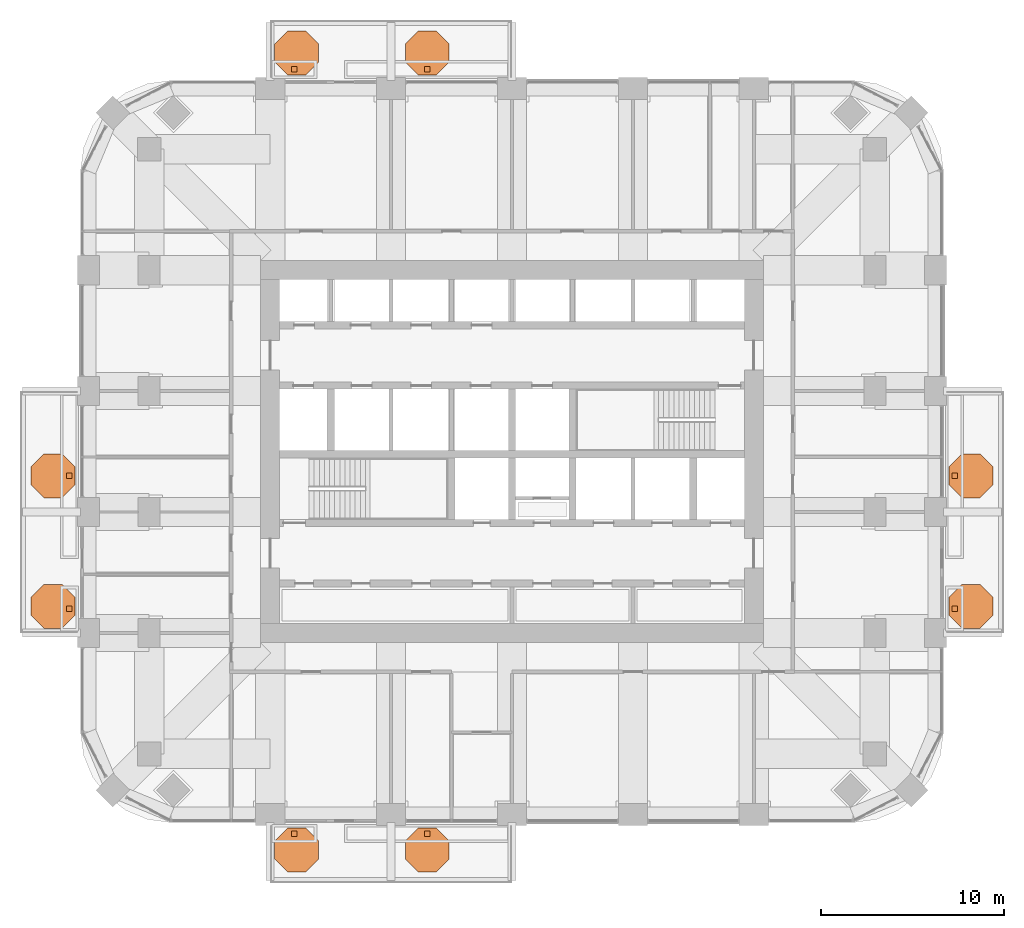
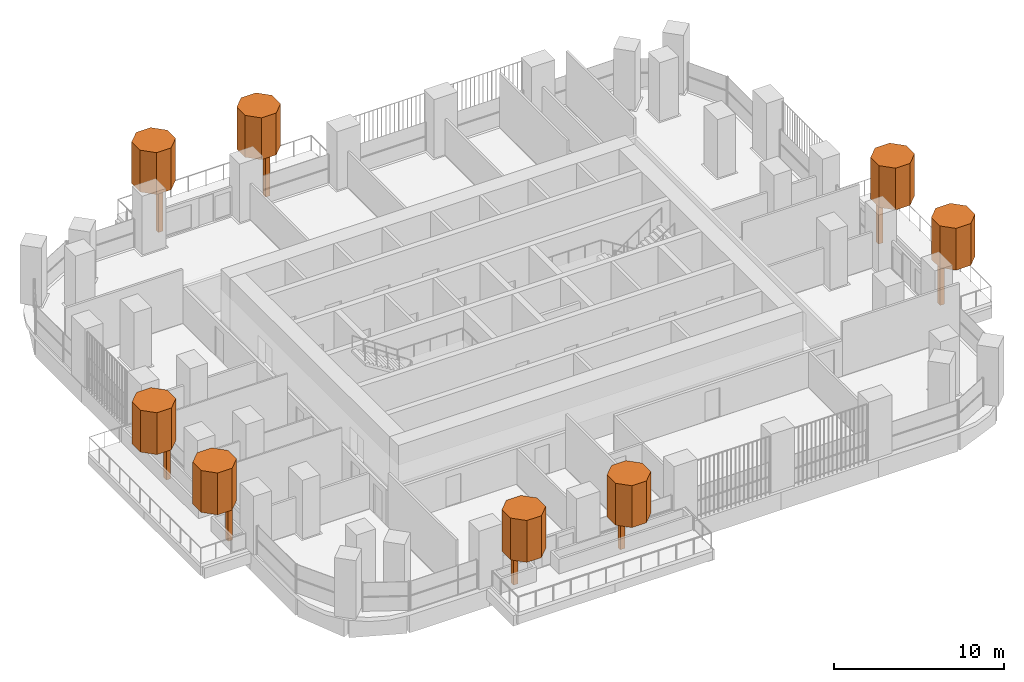
# One storey, part 20 of 20: 16 geographic elements.
"""IFC4 building model written with IfcOpenShell, lengths in metres."""

from ifc_helpers import new_model, si_unit, direction, frame, origin, origin_2d, place, context, subcontext, project, spatial, polyline, rectangle, outline, extrude, material, type_object, element, save


model = new_model("IFC4")

# Units and contexts
model_context = context("Model", 3, precision=1e-05, world=origin(), true_north=direction((0.0, 1.0)))
body_context = subcontext(model_context, "Body", "Model", "MODEL_VIEW")
ifc_project = project(units=[si_unit("LENGTHUNIT", "METRE"), si_unit("AREAUNIT", "SQUARE_METRE"), si_unit("VOLUMEUNIT", "CUBIC_METRE"), si_unit("PLANEANGLEUNIT", "RADIAN"), si_unit("MASSUNIT", "GRAM", prefix="KILO")], contexts=[model_context])

# Site, building, storey
site_placement = place(None, origin())
site = spatial("IfcSite", under=ifc_project, at=site_placement, CompositionType="ELEMENT")
building_placement = place(site_placement, origin())
building = spatial("IfcBuilding", under=site, at=building_placement, Name="Cobogo Forest Laboratory Tower", CompositionType="ELEMENT")
storey_placement = place(building_placement, frame((0.0, 0.0, 218.699951171875)))
storey = spatial("IfcBuildingStorey", under=building, at=storey_placement, Name="L50", CompositionType="ELEMENT", Elevation=218.699951171875)

# Geographic elements
ifc_material = material(Name="Planting", Category="plant")
geographic_element_type_1 = type_object("IfcGeographicElementType", Name="Tree trunk 300", PredefinedType="USERDEFINED", material=ifc_material)
for number, where, z_axis, x_axis, name in (
    (1, (14.52490234375, 2.25, 0.0), (0.0, 0.0, 1.0), (1.0, 0.0, 0.0), "Tree trunk BAL-S1-PL1 L50"),
    (2, (21.77490234375, 2.25, 0.0), (0.0, 0.0, 1.0), (1.0, 0.0, 0.0), "Tree trunk BAL-S1-PL2 L50"),
    (3, (50.550048828125, 14.52490234375, 0.0), (0.0, 0.0, 1.0), (1.0, 0.0, 0.0), "Tree trunk BAL-E1-PL1 L50"),
    (4, (50.550048828125, 21.77490234375, 0.0), (0.0, 0.0, 1.0), (1.0, 0.0, 0.0), "Tree trunk BAL-E1-PL2 L50"),
    (5, (14.52490234375, 43.949951171875, 0.0), (0.0, 0.0, 1.0), (1.0, 0.0, 0.0), "Tree trunk BAL-N1-PL1 L50"),
    (6, (21.77490234375, 43.949951171875, 0.0), (0.0, 0.0, 1.0), (1.0, 0.0, 0.0), "Tree trunk BAL-N1-PL2 L50"),
    (7, (2.25, 14.52490234375, 0.0), (0.0, 0.0, 1.0), (1.0, 0.0, 0.0), "Tree trunk BAL-W1-PL1 L50"),
    (8, (2.25, 21.77490234375, 0.0), (0.0, 0.0, 1.0), (1.0, 0.0, 0.0), "Tree trunk BAL-W1-PL2 L50"),
):
    element("IfcGeographicElement", number, at=place(storey_placement, frame(where, z_axis=z_axis, x_axis=x_axis)), inside=storey, type_object=geographic_element_type_1, Name=name, ObjectType="TREE TRUNK", PredefinedType="USERDEFINED", context=body_context, shape_type="SweptSolid", body=[
        extrude(rectangle(XDim=0.300048828125, YDim=0.300048828125, at=origin_2d()), origin(), (0.0, 0.0, 1.0), 2.89990234375),
    ])
geographic_element_type_2 = type_object("IfcGeographicElementType", Name="Tree, holm oak 5 m", PredefinedType="USERDEFINED", material=ifc_material)
geographic_element_1_placement = place(storey_placement, frame((0.0, 0.0, 2.900146484375)))
element("IfcGeographicElement", 9, at=geographic_element_1_placement, inside=storey, type_object=geographic_element_type_2, Name="Holm tree BAL-S1-PL1 L50", ObjectType="TREE", PredefinedType="USERDEFINED", context=body_context, shape_type="SweptSolid", body=[
    extrude(outline(polyline([(15.85009765625, 0.85302734375), (15.85009765625, 1.84716796875), (15.14697265625, 2.550048828125), (14.15283203125, 2.550048828125), (13.449951171875, 1.84716796875), (13.449951171875, 0.85302734375), (14.15283203125, 0.14990234375), (15.14697265625, 0.14990234375), (15.85009765625, 0.85302734375)])), origin(), (0.0, 0.0, 1.0), 3.0),
])
geographic_element_2_placement = place(storey_placement, frame((0.0, 0.0, 2.900146484375)))
element("IfcGeographicElement", 10, at=geographic_element_2_placement, inside=storey, type_object=geographic_element_type_2, Name="Holm tree BAL-S1-PL2 L50", ObjectType="TREE", PredefinedType="USERDEFINED", context=body_context, shape_type="SweptSolid", body=[
    extrude(outline(polyline([(22.97509765625, 0.85302734375), (22.97509765625, 1.84716796875), (22.27197265625, 2.550048828125), (21.27783203125, 2.550048828125), (20.574951171875, 1.84716796875), (20.574951171875, 0.85302734375), (21.27783203125, 0.14990234375), (22.27197265625, 0.14990234375), (22.97509765625, 0.85302734375)])), origin(), (0.0, 0.0, 1.0), 3.0),
])
geographic_element_3_placement = place(storey_placement, frame((0.0, 0.0, 2.900146484375)))
element("IfcGeographicElement", 11, at=geographic_element_3_placement, inside=storey, type_object=geographic_element_type_2, Name="Holm tree BAL-E1-PL1 L50", ObjectType="TREE", PredefinedType="USERDEFINED", context=body_context, shape_type="SweptSolid", body=[
    extrude(outline(polyline([(52.64990234375, 14.15283203125), (52.64990234375, 15.14697265625), (51.947021484375, 15.85009765625), (50.952880859375, 15.85009765625), (50.25, 15.14697265625), (50.25, 14.15283203125), (50.952880859375, 13.449951171875), (51.947021484375, 13.449951171875), (52.64990234375, 14.15283203125)])), origin(), (0.0, 0.0, 1.0), 3.0),
])
geographic_element_4_placement = place(storey_placement, frame((0.0, 0.0, 2.900146484375)))
element("IfcGeographicElement", 12, at=geographic_element_4_placement, inside=storey, type_object=geographic_element_type_2, Name="Holm tree BAL-E1-PL2 L50", ObjectType="TREE", PredefinedType="USERDEFINED", context=body_context, shape_type="SweptSolid", body=[
    extrude(outline(polyline([(52.64990234375, 21.27783203125), (52.64990234375, 22.27197265625), (51.947021484375, 22.97509765625), (50.952880859375, 22.97509765625), (50.25, 22.27197265625), (50.25, 21.27783203125), (50.952880859375, 20.574951171875), (51.947021484375, 20.574951171875), (52.64990234375, 21.27783203125)])), origin(), (0.0, 0.0, 1.0), 3.0),
])
geographic_element_5_placement = place(storey_placement, frame((0.0, 0.0, 2.900146484375)))
element("IfcGeographicElement", 13, at=geographic_element_5_placement, inside=storey, type_object=geographic_element_type_2, Name="Holm tree BAL-N1-PL1 L50", ObjectType="TREE", PredefinedType="USERDEFINED", context=body_context, shape_type="SweptSolid", body=[
    extrude(outline(polyline([(15.85009765625, 44.35302734375), (15.85009765625, 45.34716796875), (15.14697265625, 46.050048828125), (14.15283203125, 46.050048828125), (13.449951171875, 45.34716796875), (13.449951171875, 44.35302734375), (14.15283203125, 43.64990234375), (15.14697265625, 43.64990234375), (15.85009765625, 44.35302734375)])), origin(), (0.0, 0.0, 1.0), 3.0),
])
geographic_element_6_placement = place(storey_placement, frame((0.0, 0.0, 2.900146484375)))
element("IfcGeographicElement", 14, at=geographic_element_6_placement, inside=storey, type_object=geographic_element_type_2, Name="Holm tree BAL-N1-PL2 L50", ObjectType="TREE", PredefinedType="USERDEFINED", context=body_context, shape_type="SweptSolid", body=[
    extrude(outline(polyline([(22.97509765625, 44.35302734375), (22.97509765625, 45.34716796875), (22.27197265625, 46.050048828125), (21.27783203125, 46.050048828125), (20.574951171875, 45.34716796875), (20.574951171875, 44.35302734375), (21.27783203125, 43.64990234375), (22.27197265625, 43.64990234375), (22.97509765625, 44.35302734375)])), origin(), (0.0, 0.0, 1.0), 3.0),
])
geographic_element_7_placement = place(storey_placement, frame((0.0, 0.0, 2.900146484375)))
element("IfcGeographicElement", 15, at=geographic_element_7_placement, inside=storey, type_object=geographic_element_type_2, Name="Holm tree BAL-W1-PL1 L50", ObjectType="TREE", PredefinedType="USERDEFINED", context=body_context, shape_type="SweptSolid", body=[
    extrude(outline(polyline([(2.550048828125, 14.15283203125), (2.550048828125, 15.14697265625), (1.84716796875, 15.85009765625), (0.85302734375, 15.85009765625), (0.14990234375, 15.14697265625), (0.14990234375, 14.15283203125), (0.85302734375, 13.449951171875), (1.84716796875, 13.449951171875), (2.550048828125, 14.15283203125)])), origin(), (0.0, 0.0, 1.0), 3.0),
])
geographic_element_8_placement = place(storey_placement, frame((0.0, 0.0, 2.900146484375)))
element("IfcGeographicElement", 16, at=geographic_element_8_placement, inside=storey, type_object=geographic_element_type_2, Name="Holm tree BAL-W1-PL2 L50", ObjectType="TREE", PredefinedType="USERDEFINED", context=body_context, shape_type="SweptSolid", body=[
    extrude(outline(polyline([(2.550048828125, 21.27783203125), (2.550048828125, 22.27197265625), (1.84716796875, 22.97509765625), (0.85302734375, 22.97509765625), (0.14990234375, 22.27197265625), (0.14990234375, 21.27783203125), (0.85302734375, 20.574951171875), (1.84716796875, 20.574951171875), (2.550048828125, 21.27783203125)])), origin(), (0.0, 0.0, 1.0), 3.0),
])

save(model, "model.ifc")
